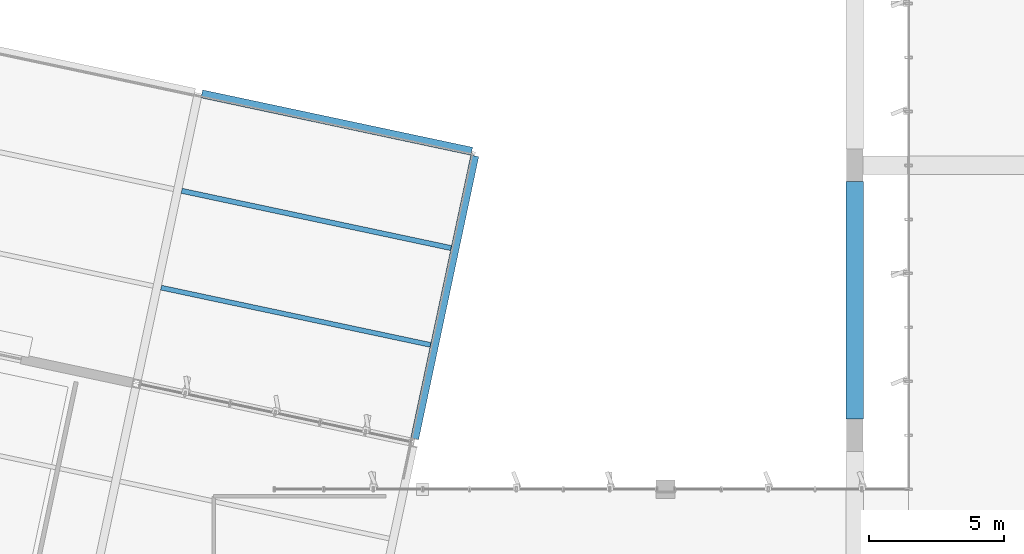
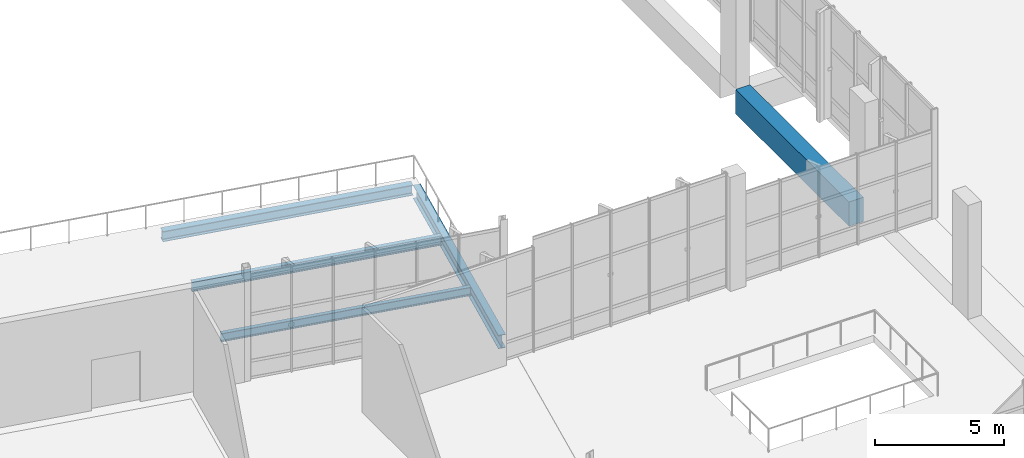
# One storey, part 47 of 176: 5 beams.
"""IFC4 building model written with IfcOpenShell, lengths in metres."""

from ifc_helpers import new_model, si_unit, direction, frame, origin, origin_2d, place, context, subcontext, project, spatial, rectangle, i_section, extrude, material, material_profile, profile_set, type_object, element, save


model = new_model("IFC4")

# Units and contexts
model_context = context("Model", 3, precision=1e-05, world=origin(), true_north=direction((0.0, 1.0)))
body_context = subcontext(model_context, "Body", "Model", "MODEL_VIEW")
ifc_project = project(units=[si_unit("LENGTHUNIT", "METRE"), si_unit("AREAUNIT", "SQUARE_METRE"), si_unit("VOLUMEUNIT", "CUBIC_METRE"), si_unit("PLANEANGLEUNIT", "RADIAN"), si_unit("MASSUNIT", "GRAM", prefix="KILO")], contexts=[model_context])

# Site, building, storey
site_placement = place(None, origin())
site = spatial("IfcSite", under=ifc_project, at=site_placement, CompositionType="ELEMENT")
building_placement = place(site_placement, origin())
building = spatial("IfcBuilding", under=site, at=building_placement, Name="Khorjan Park Terminus", CompositionType="ELEMENT")
storey_placement = place(building_placement, frame((0.0, 0.0, 6.0)))
storey = spatial("IfcBuildingStorey", under=building, at=storey_placement, Name="L01", CompositionType="ELEMENT", Elevation=6.0)

# Beams
ifc_material_1 = material(Name="Steel S355", Category="steel")
ifc_material_profile_1 = material_profile(ifc_material_1, i_section(OverallWidth=0.3, OverallDepth=0.49, WebThickness=0.012, FlangeThickness=0.023, FilletRadius=0.027, at=origin_2d()), Name="HEA 500")
ifc_profile_set_1 = profile_set([ifc_material_profile_1], Name="Steel S355")
beam_type_1 = type_object("IfcBeamType", Name="BM-HEA500", PredefinedType="BEAM", material=ifc_profile_set_1)
beam_1_placement = place(storey_placement, frame((23.8213, 80.6443, -0.505), z_axis=(0.978146464962, -0.207917034131, 0.0), x_axis=(0.207917034131, 0.978146464962, 0.0)))
element("IfcBeam", 1, at=beam_1_placement, inside=storey, type_object=beam_type_1, Name="Primary skew-grid floor girder SB-A50 (L01)", PredefinedType="BEAM", context=body_context, shape_type="SweptSolid", body=[
    extrude(i_section(OverallWidth=0.3, OverallDepth=0.49, WebThickness=0.012, FlangeThickness=0.023, FilletRadius=0.027, at=origin_2d()), origin(), (0.0, 0.0, 1.0), 10.2199),
])
ifc_material_profile_2 = material_profile(ifc_material_1, i_section(OverallWidth=0.3, OverallDepth=0.64, WebThickness=0.0135, FlangeThickness=0.026, FilletRadius=0.027, at=origin_2d()), Name="HEA 650")
ifc_profile_set_2 = profile_set([ifc_material_profile_2], Name="Steel S355")
beam_type_2 = type_object("IfcBeamType", Name="BM-HEA650", PredefinedType="BEAM", material=ifc_profile_set_2)
beam_2_placement = place(storey_placement, frame((31.7029, 67.8715, -0.58), z_axis=(0.207909789374, 0.978148004896, 0.0), x_axis=(-0.978148004896, 0.207909789374, 0.0)))
element("IfcBeam", 2, at=beam_2_placement, inside=storey, type_object=beam_type_2, Name="Primary skew-grid floor girder SB-A65 (L01)", PredefinedType="BEAM", context=body_context, shape_type="SweptSolid", body=[
    extrude(i_section(OverallWidth=0.3, OverallDepth=0.64, WebThickness=0.0135, FlangeThickness=0.026, FilletRadius=0.027, at=origin_2d()), origin(), (0.0, 0.0, 1.0), 10.7099),
])
ifc_material_profile_3 = material_profile(ifc_material_1, i_section(OverallWidth=0.18, OverallDepth=0.4, WebThickness=0.0086, FlangeThickness=0.0135, FilletRadius=0.021, at=origin_2d()), Name="IPE 400")
ifc_profile_set_3 = profile_set([ifc_material_profile_3], Name="Steel S355")
beam_type_3 = type_object("IfcBeamType", Name="JS-IPE400", PredefinedType="JOIST", material=ifc_profile_set_3)
beam_3_placement = place(storey_placement, frame((22.3113, 73.4681, -0.46), z_axis=(0.978147562282, -0.207911871719, 0.0), x_axis=(0.207911871719, 0.978147562282, 0.0)))
element("IfcBeam", 3, at=beam_3_placement, inside=storey, type_object=beam_type_3, Name="Secondary composite floor joist SJ-40 (L01)", PredefinedType="JOIST", context=body_context, shape_type="SweptSolid", body=[
    extrude(i_section(OverallWidth=0.18, OverallDepth=0.4, WebThickness=0.0086, FlangeThickness=0.0135, FilletRadius=0.021, at=origin_2d()), origin(), (0.0, 0.0, 1.0), 10.2),
])
ifc_material_profile_4 = material_profile(ifc_material_1, i_section(OverallWidth=0.19, OverallDepth=0.45, WebThickness=0.0094, FlangeThickness=0.0146, FilletRadius=0.021, at=origin_2d()), Name="IPE 450")
ifc_profile_set_4 = profile_set([ifc_material_profile_4], Name="Steel S355")
beam_type_4 = type_object("IfcBeamType", Name="JS-IPE450", PredefinedType="JOIST", material=ifc_profile_set_4)
beam_4_placement = place(storey_placement, frame((23.0736, 77.0546, -0.485), z_axis=(0.978147562282, -0.207911871719, 0.0), x_axis=(0.207911871719, 0.978147562282, 0.0)))
element("IfcBeam", 4, at=beam_4_placement, inside=storey, type_object=beam_type_4, Name="Secondary composite floor joist SJ-45 (L01)", PredefinedType="JOIST", context=body_context, shape_type="SweptSolid", body=[
    extrude(i_section(OverallWidth=0.19, OverallDepth=0.45, WebThickness=0.0094, FlangeThickness=0.0146, FilletRadius=0.021, at=origin_2d()), origin(), (0.0, 0.0, 1.0), 10.2),
])
ifc_material_2 = material(Name="Concrete C50/60", Category="concrete")
ifc_material_profile_5 = material_profile(ifc_material_2, rectangle(XDim=0.65, YDim=1.15, at=origin_2d()), Name="RC 650x1150")
ifc_profile_set_5 = profile_set([ifc_material_profile_5], Name="Concrete C50/60")
beam_type_5 = type_object("IfcBeamType", Name="SP-RC650x1150", PredefinedType="SPANDREL", material=ifc_profile_set_5)
beam_5_placement = place(storey_placement, frame((48.0, 68.595, -0.575), z_axis=(0.0, 1.0, 0.0), x_axis=(-1.0, 0.0, 0.0)))
element("IfcBeam", 5, at=beam_5_placement, inside=storey, type_object=beam_type_5, Name="Concourse lower colonnade ring beam SP-11 (L01-33)", PredefinedType="SPANDREL", context=body_context, shape_type="SweptSolid", body=[
    extrude(rectangle(XDim=0.65, YDim=1.15, at=origin_2d()), origin(), (0.0, 0.0, 1.0), 8.81),
])

save(model, "model.ifc")
